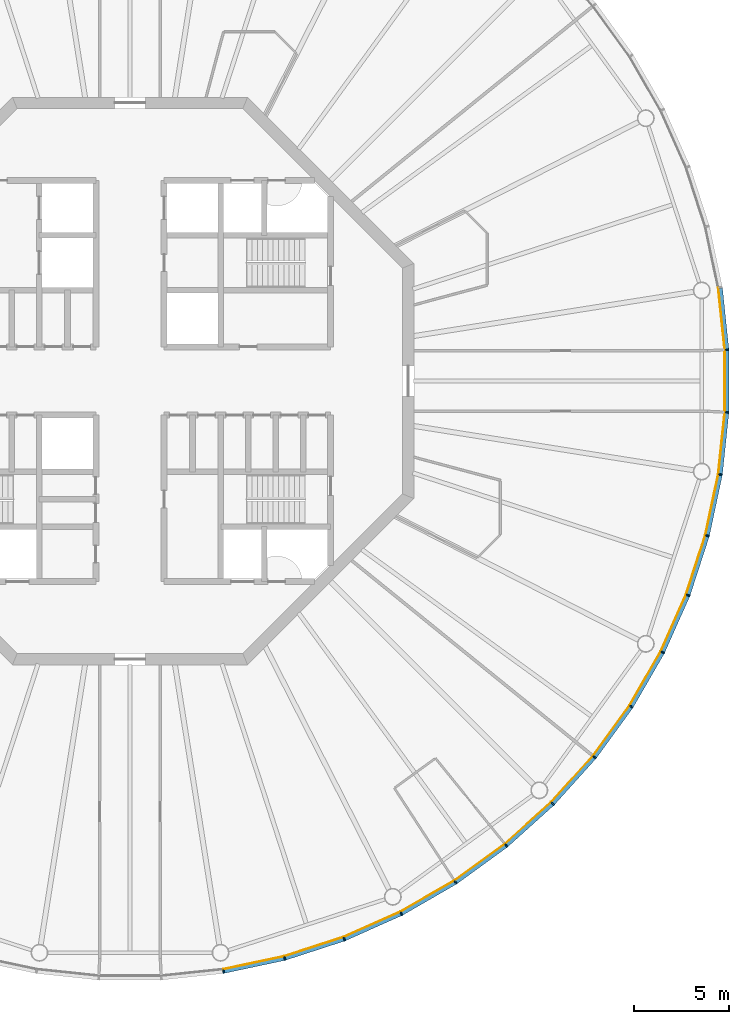
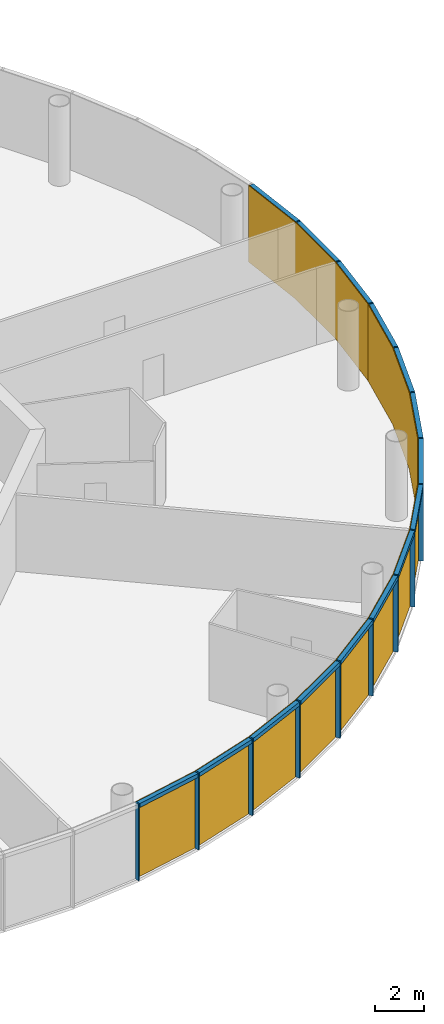
# One storey, part 9 of 13: 30 members, 5 curtain walls.
"""IFC4 building model written with IfcOpenShell, lengths in metres."""

from ifc_helpers import new_model, si_unit, direction, frame, origin, origin_2d, place, context, subcontext, project, spatial, polyline, rectangle, outline, extrude, material, layer, layer_set, material_profile, profile_set, type_object, element, aggregate, save


model = new_model("IFC4")

# Units and contexts
model_context = context("Model", 3, precision=1e-05, world=origin(), true_north=direction((0.0, 1.0)))
body_context = subcontext(model_context, "Body", "Model", "MODEL_VIEW")
ifc_project = project(units=[si_unit("LENGTHUNIT", "METRE"), si_unit("AREAUNIT", "SQUARE_METRE"), si_unit("VOLUMEUNIT", "CUBIC_METRE"), si_unit("PLANEANGLEUNIT", "RADIAN"), si_unit("MASSUNIT", "GRAM", prefix="KILO")], contexts=[model_context])

# Member
ifc_material_1 = material(Name="Anodised aluminium", Category="aluminium")
ifc_material_profile_1 = material_profile(ifc_material_1, rectangle(XDim=0.070068359375, YDim=0.205078125, at=origin_2d()), Name="Mullion 70 x 205 mm anodised aluminium")
ifc_profile_set_1 = profile_set([ifc_material_profile_1], Name="Anodised aluminium")
member_type_1 = type_object("IfcMemberType", Name="Mullion 70 x 205 mm anodised aluminium", PredefinedType="MULLION", material=ifc_profile_set_1)
site_placement = place(None, origin())
building_placement = place(site_placement, origin())
storey_placement = place(building_placement, frame((0.0, 0.0, 344.0)))
member_1_placement = place(storey_placement, frame((94.943603515625, 48.78662109375, 0.0), z_axis=(0.0, 0.0, 1.0), x_axis=(0.987688340595, 0.15643446504, 0.0)))
member_1 = element("IfcMember", 1, at=member_1_placement, type_object=member_type_1, Name="MULLION L79-45", PredefinedType="MULLION", context=body_context, shape_type="SweptSolid", body=[
    extrude(rectangle(XDim=0.070068359375, YDim=0.205078125, at=origin_2d()), origin(), (0.0, 0.0, 1.0), 3.85009765625),
])

member_2_placement = place(storey_placement, frame((98.179443359375, 49.474365234375, 0.0), z_axis=(0.0, 0.0, 1.0), x_axis=(0.965925826289, 0.258819045103, 0.0)))
member_2 = element("IfcMember", 2, at=member_2_placement, type_object=member_type_1, Name="MULLION L79-46", PredefinedType="MULLION", context=body_context, shape_type="SweptSolid", body=[
    extrude(rectangle(XDim=0.070068359375, YDim=0.205078125, at=origin_2d()), origin(), (0.0, 0.0, 1.0), 3.85009765625),
])

member_3_placement = place(storey_placement, frame((101.325439453125, 50.49658203125, 0.0), z_axis=(0.0, 0.0, 1.0), x_axis=(0.933580426497, 0.358367949545, 0.0)))
member_3 = element("IfcMember", 3, at=member_3_placement, type_object=member_type_1, Name="MULLION L79-47", PredefinedType="MULLION", context=body_context, shape_type="SweptSolid", body=[
    extrude(rectangle(XDim=0.070068359375, YDim=0.205078125, at=origin_2d()), origin(), (0.0, 0.0, 1.0), 3.85009765625),
])

member_4_placement = place(storey_placement, frame((104.34716796875, 51.842041015625, 0.0), z_axis=(0.0, 0.0, 1.0), x_axis=(0.891006524188, 0.45399049974, 0.0)))
member_4 = element("IfcMember", 4, at=member_4_placement, type_object=member_type_1, Name="MULLION L79-48", PredefinedType="MULLION", context=body_context, shape_type="SweptSolid", body=[
    extrude(rectangle(XDim=0.070068359375, YDim=0.205078125, at=origin_2d()), origin(), (0.0, 0.0, 1.0), 3.85009765625),
])

member_5_placement = place(storey_placement, frame((107.2119140625, 53.495849609375, 0.0), z_axis=(0.0, 0.0, 1.0), x_axis=(0.838670567945, 0.544639035015, 0.0)))
member_5 = element("IfcMember", 5, at=member_5_placement, type_object=member_type_1, Name="MULLION L79-49", PredefinedType="MULLION", context=body_context, shape_type="SweptSolid", body=[
    extrude(rectangle(XDim=0.070068359375, YDim=0.205078125, at=origin_2d()), origin(), (0.0, 0.0, 1.0), 3.85009765625),
])

member_6_placement = place(storey_placement, frame((109.88818359375, 55.440185546875, 0.0), z_axis=(0.0, 0.0, 1.0), x_axis=(0.777145961457, 0.62932039105, 0.0)))
member_6 = element("IfcMember", 6, at=member_6_placement, type_object=member_type_1, Name="MULLION L79-50", PredefinedType="MULLION", context=body_context, shape_type="SweptSolid", body=[
    extrude(rectangle(XDim=0.070068359375, YDim=0.205078125, at=origin_2d()), origin(), (0.0, 0.0, 1.0), 3.85009765625),
])

member_7_placement = place(storey_placement, frame((112.346435546875, 57.653564453125, 0.0), z_axis=(0.0, 0.0, 1.0), x_axis=(0.707106781187, 0.707106781187, 0.0)))
member_7 = element("IfcMember", 7, at=member_7_placement, type_object=member_type_1, Name="MULLION L79-51", PredefinedType="MULLION", context=body_context, shape_type="SweptSolid", body=[
    extrude(rectangle(XDim=0.070068359375, YDim=0.205078125, at=origin_2d()), origin(), (0.0, 0.0, 1.0), 3.85009765625),
])

member_8_placement = place(storey_placement, frame((114.559814453125, 60.11181640625, 0.0), z_axis=(0.0, 0.0, 1.0), x_axis=(0.62932039105, 0.777145961457, 0.0)))
member_8 = element("IfcMember", 8, at=member_8_placement, type_object=member_type_1, Name="MULLION L79-52", PredefinedType="MULLION", context=body_context, shape_type="SweptSolid", body=[
    extrude(rectangle(XDim=0.070068359375, YDim=0.205078125, at=origin_2d()), origin(), (0.0, 0.0, 1.0), 3.85009765625),
])

member_9_placement = place(storey_placement, frame((116.504150390625, 62.7880859375, 0.0), z_axis=(0.0, 0.0, 1.0), x_axis=(0.544639035015, 0.838670567945, 0.0)))
member_9 = element("IfcMember", 9, at=member_9_placement, type_object=member_type_1, Name="MULLION L79-53", PredefinedType="MULLION", context=body_context, shape_type="SweptSolid", body=[
    extrude(rectangle(XDim=0.070068359375, YDim=0.205078125, at=origin_2d()), origin(), (0.0, 0.0, 1.0), 3.85009765625),
])

member_10_placement = place(storey_placement, frame((118.157958984375, 65.65283203125, 0.0), z_axis=(0.0, 0.0, 1.0), x_axis=(0.45399049974, 0.891006524188, 0.0)))
member_10 = element("IfcMember", 10, at=member_10_placement, type_object=member_type_1, Name="MULLION L79-54", PredefinedType="MULLION", context=body_context, shape_type="SweptSolid", body=[
    extrude(rectangle(XDim=0.070068359375, YDim=0.205078125, at=origin_2d()), origin(), (0.0, 0.0, 1.0), 3.85009765625),
])

member_11_placement = place(storey_placement, frame((119.50341796875, 68.674560546875, 0.0), z_axis=(0.0, 0.0, 1.0), x_axis=(0.358367949545, 0.933580426497, 0.0)))
member_11 = element("IfcMember", 11, at=member_11_placement, type_object=member_type_1, Name="MULLION L79-55", PredefinedType="MULLION", context=body_context, shape_type="SweptSolid", body=[
    extrude(rectangle(XDim=0.070068359375, YDim=0.205078125, at=origin_2d()), origin(), (0.0, 0.0, 1.0), 3.85009765625),
])

member_12_placement = place(storey_placement, frame((120.525634765625, 71.820556640625, 0.0), z_axis=(0.0, 0.0, 1.0), x_axis=(0.258819045103, 0.965925826289, 0.0)))
member_12 = element("IfcMember", 12, at=member_12_placement, type_object=member_type_1, Name="MULLION L79-56", PredefinedType="MULLION", context=body_context, shape_type="SweptSolid", body=[
    extrude(rectangle(XDim=0.070068359375, YDim=0.205078125, at=origin_2d()), origin(), (0.0, 0.0, 1.0), 3.85009765625),
])

member_13_placement = place(storey_placement, frame((121.21337890625, 75.056396484375, 0.0), z_axis=(0.0, 0.0, 1.0), x_axis=(0.15643446504, 0.987688340595, 0.0)))
member_13 = element("IfcMember", 13, at=member_13_placement, type_object=member_type_1, Name="MULLION L79-57", PredefinedType="MULLION", context=body_context, shape_type="SweptSolid", body=[
    extrude(rectangle(XDim=0.070068359375, YDim=0.205078125, at=origin_2d()), origin(), (0.0, 0.0, 1.0), 3.85009765625),
])

member_14_placement = place(storey_placement, frame((121.55908203125, 78.345947265625, 0.0), z_axis=(0.0, 0.0, 1.0), x_axis=(0.052335956243, 0.998629534755, 0.0)))
member_14 = element("IfcMember", 14, at=member_14_placement, type_object=member_type_1, Name="MULLION L79-58", PredefinedType="MULLION", context=body_context, shape_type="SweptSolid", body=[
    extrude(rectangle(XDim=0.070068359375, YDim=0.205078125, at=origin_2d()), origin(), (0.0, 0.0, 1.0), 3.85009765625),
])

member_15_placement = place(storey_placement, frame((121.55908203125, 81.654052734375, 0.0), z_axis=(0.0, 0.0, 1.0), x_axis=(-0.052335956243, 0.998629534755, 0.0)))
member_15 = element("IfcMember", 15, at=member_15_placement, type_object=member_type_1, Name="MULLION L79-59", PredefinedType="MULLION", context=body_context, shape_type="SweptSolid", body=[
    extrude(rectangle(XDim=0.070068359375, YDim=0.205078125, at=origin_2d()), origin(), (0.0, 0.0, 1.0), 3.85009765625),
])

ifc_material_2 = material(Name="Anodised aluminium", Category="aluminium")
ifc_material_profile_2 = material_profile(ifc_material_2, rectangle(XDim=0.205078125, YDim=0.195068359375, at=origin_2d()), Name="Transom 195 x 205 mm anodised aluminium")
ifc_profile_set_2 = profile_set([ifc_material_profile_2], Name="Anodised aluminium")
member_type_2 = type_object("IfcMemberType", Name="Transom 195 x 205 mm anodised aluminium", PredefinedType="USERDEFINED", material=ifc_profile_set_2)
member_16_placement = place(storey_placement, frame((94.983154296875, 48.794921875, 3.75244140625), z_axis=(0.978153082647, 0.207885898771, 0.0), x_axis=(-0.207885898771, 0.978153082647, 0.0)))
member_16 = element("IfcMember", 16, at=member_16_placement, type_object=member_type_2, Name="TRANSOM L79-45", ObjectType="TRANSOM", PredefinedType="USERDEFINED", context=body_context, shape_type="SweptSolid", body=[
    extrude(rectangle(XDim=0.205078125, YDim=0.195068359375, at=origin_2d()), origin(), (0.0, 0.0, 1.0), 3.227294921875),
])

member_17_placement = place(storey_placement, frame((98.2177734375, 49.486572265625, 3.75244140625), z_axis=(0.951046855117, 0.309046726844, 0.0), x_axis=(-0.309046726844, 0.951046855117, 0.0)))
member_17 = element("IfcMember", 17, at=member_17_placement, type_object=member_type_2, Name="TRANSOM L79-46", ObjectType="TRANSOM", PredefinedType="USERDEFINED", context=body_context, shape_type="SweptSolid", body=[
    extrude(rectangle(XDim=0.205078125, YDim=0.195068359375, at=origin_2d()), origin(), (0.0, 0.0, 1.0), 3.22705078125),
])

member_18_placement = place(storey_placement, frame((101.3623046875, 50.5126953125, 3.75244140625), z_axis=(0.913521178731, 0.406791170024, 0.0), x_axis=(-0.406791170024, 0.913521178731, 0.0)))
member_18 = element("IfcMember", 18, at=member_18_placement, type_object=member_type_2, Name="TRANSOM L79-47", ObjectType="TRANSOM", PredefinedType="USERDEFINED", context=body_context, shape_type="SweptSolid", body=[
    extrude(rectangle(XDim=0.205078125, YDim=0.195068359375, at=origin_2d()), origin(), (0.0, 0.0, 1.0), 3.22705078125),
])

member_19_placement = place(storey_placement, frame((104.38232421875, 51.862060546875, 3.75244140625), z_axis=(0.866023062494, 0.500004055213, 0.0), x_axis=(-0.500004055213, 0.866023062494, 0.0)))
member_19 = element("IfcMember", 19, at=member_19_placement, type_object=member_type_2, Name="TRANSOM L79-48", ObjectType="TRANSOM", PredefinedType="USERDEFINED", context=body_context, shape_type="SweptSolid", body=[
    extrude(rectangle(XDim=0.205078125, YDim=0.195068359375, at=origin_2d()), origin(), (0.0, 0.0, 1.0), 3.22705078125),
])

member_20_placement = place(storey_placement, frame((107.24462890625, 53.51953125, 3.75244140625), z_axis=(0.809004252048, 0.587802790201, 0.0), x_axis=(-0.587802790201, 0.809004252048, 0.0)))
member_20 = element("IfcMember", 20, at=member_20_placement, type_object=member_type_2, Name="TRANSOM L79-49", ObjectType="TRANSOM", PredefinedType="USERDEFINED", context=body_context, shape_type="SweptSolid", body=[
    extrude(rectangle(XDim=0.205078125, YDim=0.195068359375, at=origin_2d()), origin(), (0.0, 0.0, 1.0), 3.227294921875),
])

member_21_placement = place(storey_placement, frame((109.918212890625, 55.467041015625, 3.75244140625), z_axis=(0.743132370743, 0.669144438484, 0.0), x_axis=(-0.669144438484, 0.743132370743, 0.0)))
member_21 = element("IfcMember", 21, at=member_21_placement, type_object=member_type_2, Name="TRANSOM L79-50", ObjectType="TRANSOM", PredefinedType="USERDEFINED", context=body_context, shape_type="SweptSolid", body=[
    extrude(rectangle(XDim=0.205078125, YDim=0.195068359375, at=origin_2d()), origin(), (0.0, 0.0, 1.0), 3.22705078125),
])

member_22_placement = place(storey_placement, frame((112.37353515625, 57.68359375, 3.75244140625), z_axis=(0.669144438484, 0.743132370743, 0.0), x_axis=(-0.743132370743, 0.669144438484, 0.0)))
member_22 = element("IfcMember", 22, at=member_22_placement, type_object=member_type_2, Name="TRANSOM L79-51", ObjectType="TRANSOM", PredefinedType="USERDEFINED", context=body_context, shape_type="SweptSolid", body=[
    extrude(rectangle(XDim=0.205078125, YDim=0.195068359375, at=origin_2d()), origin(), (0.0, 0.0, 1.0), 3.22705078125),
])

member_23_placement = place(storey_placement, frame((114.58349609375, 60.14453125, 3.75244140625), z_axis=(0.587802790201, 0.809004252048, 0.0), x_axis=(-0.809004252048, 0.587802790201, 0.0)))
member_23 = element("IfcMember", 23, at=member_23_placement, type_object=member_type_2, Name="TRANSOM L79-52", ObjectType="TRANSOM", PredefinedType="USERDEFINED", context=body_context, shape_type="SweptSolid", body=[
    extrude(rectangle(XDim=0.205078125, YDim=0.195068359375, at=origin_2d()), origin(), (0.0, 0.0, 1.0), 3.227294921875),
])

member_24_placement = place(storey_placement, frame((116.5244140625, 62.822998046875, 3.75244140625), z_axis=(0.500004055213, 0.866023062494, 0.0), x_axis=(-0.866023062494, 0.500004055213, 0.0)))
member_24 = element("IfcMember", 24, at=member_24_placement, type_object=member_type_2, Name="TRANSOM L79-53", ObjectType="TRANSOM", PredefinedType="USERDEFINED", context=body_context, shape_type="SweptSolid", body=[
    extrude(rectangle(XDim=0.205078125, YDim=0.195068359375, at=origin_2d()), origin(), (0.0, 0.0, 1.0), 3.22705078125),
])

member_25_placement = place(storey_placement, frame((118.174560546875, 65.689697265625, 3.75244140625), z_axis=(0.406791170024, 0.913521178731, 0.0), x_axis=(-0.913521178731, 0.406791170024, 0.0)))
member_25 = element("IfcMember", 25, at=member_25_placement, type_object=member_type_2, Name="TRANSOM L79-54", ObjectType="TRANSOM", PredefinedType="USERDEFINED", context=body_context, shape_type="SweptSolid", body=[
    extrude(rectangle(XDim=0.205078125, YDim=0.195068359375, at=origin_2d()), origin(), (0.0, 0.0, 1.0), 3.22705078125),
])

member_26_placement = place(storey_placement, frame((119.51611328125, 68.713134765625, 3.75244140625), z_axis=(0.309046726844, 0.951046855117, 0.0), x_axis=(-0.951046855117, 0.309046726844, 0.0)))
member_26 = element("IfcMember", 26, at=member_26_placement, type_object=member_type_2, Name="TRANSOM L79-55", ObjectType="TRANSOM", PredefinedType="USERDEFINED", context=body_context, shape_type="SweptSolid", body=[
    extrude(rectangle(XDim=0.205078125, YDim=0.195068359375, at=origin_2d()), origin(), (0.0, 0.0, 1.0), 3.22705078125),
])

member_27_placement = place(storey_placement, frame((120.5341796875, 71.860107421875, 3.75244140625), z_axis=(0.207885898771, 0.978153082647, 0.0), x_axis=(-0.978153082647, 0.207885898771, 0.0)))
member_27 = element("IfcMember", 27, at=member_27_placement, type_object=member_type_2, Name="TRANSOM L79-56", ObjectType="TRANSOM", PredefinedType="USERDEFINED", context=body_context, shape_type="SweptSolid", body=[
    extrude(rectangle(XDim=0.205078125, YDim=0.195068359375, at=origin_2d()), origin(), (0.0, 0.0, 1.0), 3.227294921875),
])

member_28_placement = place(storey_placement, frame((121.2177734375, 75.096435546875, 3.75244140625), z_axis=(0.104550890115, 0.994519537956, 0.0), x_axis=(-0.994519537956, 0.104550890115, 0.0)))
member_28 = element("IfcMember", 28, at=member_28_placement, type_object=member_type_2, Name="TRANSOM L79-57", ObjectType="TRANSOM", PredefinedType="USERDEFINED", context=body_context, shape_type="SweptSolid", body=[
    extrude(rectangle(XDim=0.205078125, YDim=0.195068359375, at=origin_2d()), origin(), (0.0, 0.0, 1.0), 3.22705078125),
])

member_29_placement = place(storey_placement, frame((121.559326171875, 78.386474609375, 3.75244140625), z_axis=(0.0, 1.0, 0.0), x_axis=(-1.0, 0.0, 0.0)))
member_29 = element("IfcMember", 29, at=member_29_placement, type_object=member_type_2, Name="TRANSOM L79-58", ObjectType="TRANSOM", PredefinedType="USERDEFINED", context=body_context, shape_type="SweptSolid", body=[
    extrude(rectangle(XDim=0.205078125, YDim=0.195068359375, at=origin_2d()), origin(), (0.0, 0.0, 1.0), 3.22705078125),
])

member_30_placement = place(storey_placement, frame((121.55517578125, 81.694091796875, 3.75244140625), z_axis=(-0.104550890115, 0.994519537956, 0.0), x_axis=(-0.994519537956, -0.104550890115, 0.0)))
member_30 = element("IfcMember", 30, at=member_30_placement, type_object=member_type_2, Name="TRANSOM L79-59", ObjectType="TRANSOM", PredefinedType="USERDEFINED", context=body_context, shape_type="SweptSolid", body=[
    extrude(rectangle(XDim=0.205078125, YDim=0.195068359375, at=origin_2d()), origin(), (0.0, 0.0, 1.0), 3.22705078125),
])

# Site, building, storey
site = spatial("IfcSite", under=ifc_project, at=site_placement, CompositionType="ELEMENT")
building = spatial("IfcBuilding", under=site, at=building_placement, Name="Entoto Ring Tower", CompositionType="ELEMENT")
storey = spatial("IfcBuildingStorey", under=building, at=storey_placement, Name="L79", CompositionType="ELEMENT", Elevation=344.0)

# Curtain wall
ifc_material_3 = material(Name="Clear low-iron glass", Category="glass")
ifc_layer = layer(ifc_material_3, 0.035888671875)
ifc_layer_set = layer_set([ifc_layer], Name="Clear low-iron glass")
curtain_wall_type = type_object("IfcCurtainWallType", Name="Curtain wall system CW6 glazing 36 mm", PredefinedType="NOTDEFINED", material=ifc_layer_set)
curtain_wall_1_placement = place(storey_placement, origin())
curtain_wall_1 = element("IfcCurtainWall", 31, at=curtain_wall_1_placement, inside=storey, type_object=curtain_wall_type, Name="CW6 L79-16", PredefinedType="NOTDEFINED", context=body_context, shape_type="SweptSolid", body=[
    extrude(outline(polyline([(94.927734375, 48.8876953125), (98.15283203125, 49.5732421875), (101.28857421875, 50.59228515625), (104.30078125, 51.933349609375), (104.284423828125, 51.96533203125), (101.275634765625, 50.6259765625), (98.1435546875, 49.608154296875), (94.922119140625, 48.92333984375), (94.927734375, 48.8876953125)])), origin(), (0.0, 0.0, 1.0), 3.85009765625),
])

aggregate(curtain_wall_1, [member_1, member_2, member_3, member_16, member_17, member_18])

curtain_wall_2_placement = place(storey_placement, origin())
curtain_wall_2 = element("IfcCurtainWall", 32, at=curtain_wall_2_placement, inside=storey, type_object=curtain_wall_type, Name="CW6 L79-17", PredefinedType="NOTDEFINED", context=body_context, shape_type="SweptSolid", body=[
    extrude(outline(polyline([(104.30078125, 51.933349609375), (107.15625, 53.581787109375), (109.823486328125, 55.52001953125), (112.27392578125, 57.72607421875), (112.248291015625, 57.751708984375), (109.801025390625, 55.5478515625), (107.136474609375, 53.612060546875), (104.284423828125, 51.96533203125), (104.30078125, 51.933349609375)])), origin(), (0.0, 0.0, 1.0), 3.85009765625),
])

aggregate(curtain_wall_2, [member_4, member_5, member_6, member_19, member_20, member_21])

curtain_wall_3_placement = place(storey_placement, origin())
curtain_wall_3 = element("IfcCurtainWall", 33, at=curtain_wall_3_placement, inside=storey, type_object=curtain_wall_type, Name="CW6 L79-18", PredefinedType="NOTDEFINED", context=body_context, shape_type="SweptSolid", body=[
    extrude(outline(polyline([(112.27392578125, 57.72607421875), (114.47998046875, 60.176513671875), (116.418212890625, 62.84375), (118.066650390625, 65.69921875), (118.03466796875, 65.715576171875), (116.387939453125, 62.863525390625), (114.4521484375, 60.198974609375), (112.248291015625, 57.751708984375), (112.27392578125, 57.72607421875)])), origin(), (0.0, 0.0, 1.0), 3.85009765625),
])

aggregate(curtain_wall_3, [member_7, member_8, member_9, member_22, member_23, member_24])

curtain_wall_4_placement = place(storey_placement, origin())
curtain_wall_4 = element("IfcCurtainWall", 34, at=curtain_wall_4_placement, inside=storey, type_object=curtain_wall_type, Name="CW6 L79-19", PredefinedType="NOTDEFINED", context=body_context, shape_type="SweptSolid", body=[
    extrude(outline(polyline([(118.066650390625, 65.69921875), (119.40771484375, 68.71142578125), (120.4267578125, 71.84716796875), (121.1123046875, 75.072265625), (121.07666015625, 75.077880859375), (120.391845703125, 71.8564453125), (119.3740234375, 68.724365234375), (118.03466796875, 65.715576171875), (118.066650390625, 65.69921875)])), origin(), (0.0, 0.0, 1.0), 3.85009765625),
])

aggregate(curtain_wall_4, [member_10, member_11, member_12, member_25, member_26, member_27])

curtain_wall_5_placement = place(storey_placement, origin())
curtain_wall_5 = element("IfcCurtainWall", 35, at=curtain_wall_5_placement, inside=storey, type_object=curtain_wall_type, Name="CW6 L79-20", PredefinedType="NOTDEFINED", context=body_context, shape_type="SweptSolid", body=[
    extrude(outline(polyline([(121.1123046875, 75.072265625), (121.456787109375, 78.351318359375), (121.456787109375, 81.648681640625), (121.1123046875, 84.927734375), (121.07666015625, 84.922119140625), (121.4208984375, 81.646728515625), (121.4208984375, 78.353271484375), (121.07666015625, 75.077880859375), (121.1123046875, 75.072265625)])), origin(), (0.0, 0.0, 1.0), 3.85009765625),
])

aggregate(curtain_wall_5, [member_13, member_14, member_15, member_28, member_29, member_30])

save(model, "model.ifc")
